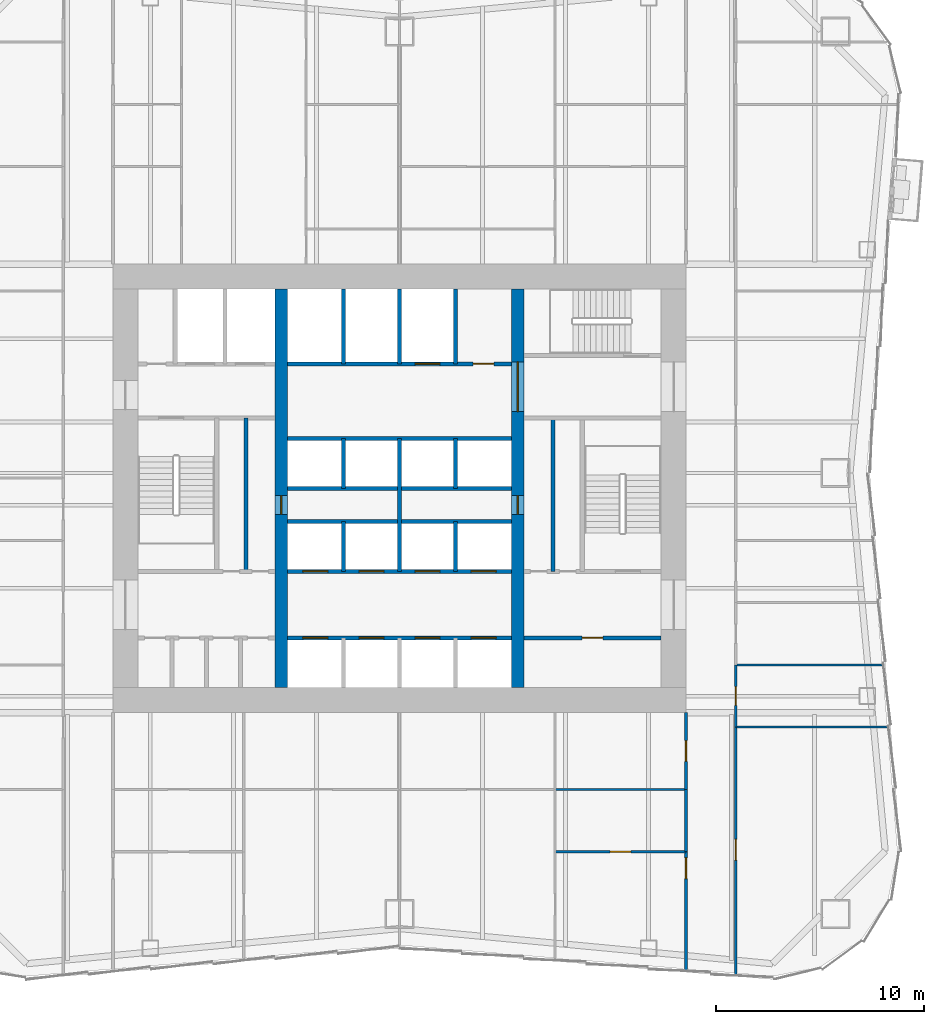
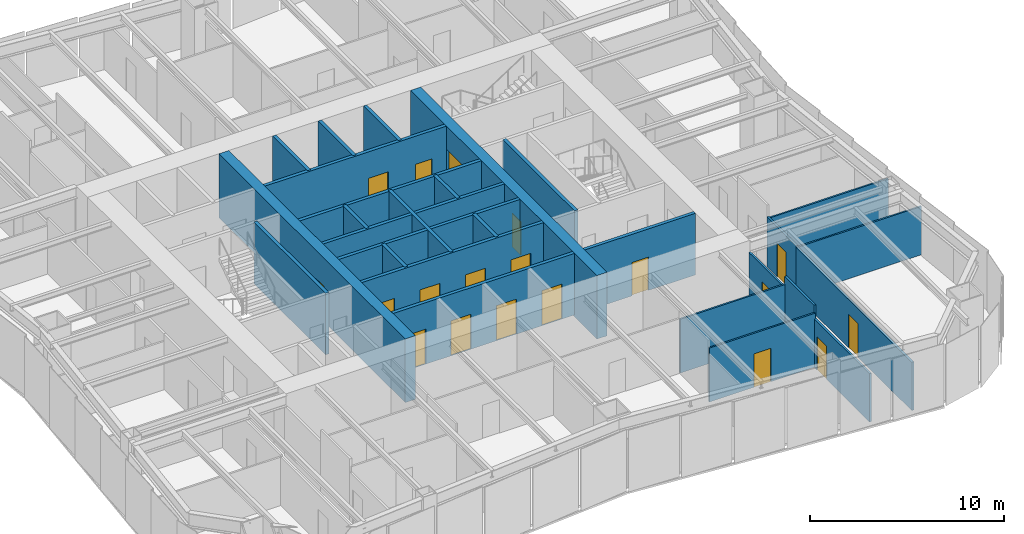
# One storey, part 5 of 9: 28 walls, 19 doors, 19 openings.
"""IFC4 building model written with IfcOpenShell, lengths in metres."""

from ifc_helpers import new_model, si_unit, direction, frame, frame_2d, origin, place, context, subcontext, project, spatial, rectangle, extrude, material, layer, layer_set, type_object, element, fill, save


model = new_model("IFC4")

# Units and contexts
model_context = context("Model", 3, precision=1e-05, world=origin(), true_north=direction((0.0, 1.0)))
body_context = subcontext(model_context, "Body", "Model", "MODEL_VIEW")
ifc_project = project(units=[si_unit("LENGTHUNIT", "METRE"), si_unit("AREAUNIT", "SQUARE_METRE"), si_unit("VOLUMEUNIT", "CUBIC_METRE"), si_unit("PLANEANGLEUNIT", "RADIAN"), si_unit("MASSUNIT", "GRAM", prefix="KILO")], contexts=[model_context])

# Site, building, storey
site_placement = place(None, origin())
site = spatial("IfcSite", under=ifc_project, at=site_placement, CompositionType="ELEMENT")
building_placement = place(site_placement, origin())
building = spatial("IfcBuilding", under=site, at=building_placement, Name="Verdant Reach Tower", CompositionType="ELEMENT")
storey_placement = place(building_placement, frame((0.0, 0.0, 74.0)))
storey = spatial("IfcBuildingStorey", under=building, at=storey_placement, Name="L16", CompositionType="ELEMENT", Elevation=74.0)

# Wall, opening, door
ifc_material_1 = material(Name="Gypsum board on steel studs", Category="steel")
ifc_layer_1 = layer(ifc_material_1, 0.199951171875)
ifc_layer_set_1 = layer_set([ifc_layer_1], Name="CO-WALL-ROOM")
wall_type_1 = type_object("IfcWallType", Name="CO-WALL-ROOM", PredefinedType="PARTITIONING", material=ifc_layer_set_1)
wall_1_placement = place(storey_placement, frame((6.0, 20.800048828125, 0.0), z_axis=(0.0, 0.0, 1.0), x_axis=(1.0, 0.0, 0.0)))
wall_1 = element("IfcWall", 1, at=wall_1_placement, inside=storey, type_object=wall_type_1, Name="Core partition, L16", PredefinedType="PARTITIONING", context=body_context, shape_type="SweptSolid", body=[
    extrude(rectangle(XDim=6.60009765625, YDim=0.199951171875, at=frame_2d((3.300048828125, 0.0))), origin(), (0.0, 0.0, 1.0), 3.8701171875),
])
opening_1_placement = place(wall_1_placement, frame((2.800048828125, 0.0, 0.0)))
opening_1 = element("IfcOpeningElement", 2, at=opening_1_placement, cuts=wall_1, Name="Opening CD", PredefinedType="OPENING", context=body_context, shape_type="SweptSolid", body=[
    extrude(rectangle(XDim=1.0, YDim=2.10009765625, at=frame_2d((0.5, 1.050048828125))), frame((0.0, 0.10986328125, 0.0), z_axis=(0.0, -1.0, 0.0), x_axis=(1.0, 0.0, 0.0)), (0.0, 0.0, 1.0), 0.219970703125),
])
ifc_material_2 = material(Name="Timber", Category="wood")
door_type_1 = type_object("IfcDoorType", Name="CO-DOOR-ROOM", OperationType="NOTDEFINED", PredefinedType="DOOR", material=ifc_material_2)
door_1_placement = place(opening_1_placement, origin())
door_1 = element("IfcDoor", 3, at=door_1_placement, inside=storey, type_object=door_type_1, Name="Core room door, L16", OperationType="SINGLE_SWING_LEFT", OverallHeight=2.10009765625, OverallWidth=1.0, PredefinedType="DOOR", context=body_context, shape_type="SweptSolid", body=[
    extrude(rectangle(XDim=1.0, YDim=2.10009765625, at=frame_2d((0.5, 1.050048828125))), frame((0.0, 0.02490234375, 0.0), z_axis=(0.0, -1.0, 0.0), x_axis=(1.0, 0.0, 0.0)), (0.0, 0.0, 1.0), 0.050048828125),
])
fill(opening_1, door_1)

# Walls
for number, where, z_axis, x_axis, name in (
    (4, (-7.39990234375, 24.0, 0.0), (0.0, 0.0, 1.0), (0.0, 1.0, 0.0), "Core partition, L16"),
    (5, (7.39990234375, 24.0, 0.0), (0.0, 0.0, 1.0), (0.0, 1.0, 0.0), "Core partition, L16"),
):
    element("IfcWall", number, at=place(storey_placement, frame(where, z_axis=z_axis, x_axis=x_axis)), inside=storey, type_object=wall_type_1, Name=name, PredefinedType="PARTITIONING", context=body_context, shape_type="SweptSolid", body=[
        extrude(rectangle(XDim=7.39990234375, YDim=0.199951171875, at=frame_2d((3.699951171875, 0.0))), origin(), (0.0, 0.0, 1.0), 3.8701171875),
    ])

# Wall, openings, doors
ifc_material_3 = material(Name="Concrete C40/50", Category="concrete")
ifc_layer_2 = layer(ifc_material_3, 0.199951171875)
ifc_layer_set_2 = layer_set([ifc_layer_2], Name="CO-WALL-SHAFT")
wall_type_2 = type_object("IfcWallType", Name="CO-WALL-SHAFT", PredefinedType="PARTITIONING", material=ifc_layer_set_2)
wall_2_placement = place(storey_placement, frame((-5.39990234375, 20.800048828125, 0.0), z_axis=(0.0, 0.0, 1.0), x_axis=(1.0, 0.0, 0.0)))
wall_2 = element("IfcWall", 6, at=wall_2_placement, inside=storey, type_object=wall_type_2, Name="Lift shaft wall, L16", PredefinedType="PARTITIONING", context=body_context, shape_type="SweptSolid", body=[
    extrude(rectangle(XDim=10.7998046875, YDim=0.199951171875, at=frame_2d((5.39990234375, 0.0))), origin(), (0.0, 0.0, 1.0), 3.8701171875),
])
opening_2_placement = place(wall_2_placement, frame((0.75, 0.0, 0.0)))
opening_2 = element("IfcOpeningElement", 7, at=opening_2_placement, cuts=wall_2, Name="Opening LD-A1", PredefinedType="OPENING", context=body_context, shape_type="SweptSolid", body=[
    extrude(rectangle(XDim=1.199951171875, YDim=2.199951171875, at=frame_2d((0.60009765625, 1.10009765625))), frame((0.0, 0.10986328125, 0.0), z_axis=(0.0, -1.0, 0.0), x_axis=(1.0, 0.0, 0.0)), (0.0, 0.0, 1.0), 0.219970703125),
])
opening_3_placement = place(wall_2_placement, frame((3.449951171875, 0.0, 0.0)))
opening_3 = element("IfcOpeningElement", 8, at=opening_3_placement, cuts=wall_2, Name="Opening LD-A2", PredefinedType="OPENING", context=body_context, shape_type="SweptSolid", body=[
    extrude(rectangle(XDim=1.199951171875, YDim=2.199951171875, at=frame_2d((0.60009765625, 1.10009765625))), frame((0.0, 0.10986328125, 0.0), z_axis=(0.0, -1.0, 0.0), x_axis=(1.0, 0.0, 0.0)), (0.0, 0.0, 1.0), 0.219970703125),
])
opening_4_placement = place(wall_2_placement, frame((6.14990234375, 0.0, 0.0)))
opening_4 = element("IfcOpeningElement", 9, at=opening_4_placement, cuts=wall_2, Name="Opening LD-A3", PredefinedType="OPENING", context=body_context, shape_type="SweptSolid", body=[
    extrude(rectangle(XDim=1.199951171875, YDim=2.199951171875, at=frame_2d((0.60009765625, 1.10009765625))), frame((0.0, 0.10986328125, 0.0), z_axis=(0.0, -1.0, 0.0), x_axis=(1.0, 0.0, 0.0)), (0.0, 0.0, 1.0), 0.219970703125),
])
opening_5_placement = place(wall_2_placement, frame((8.85009765625, 0.0, 0.0)))
opening_5 = element("IfcOpeningElement", 10, at=opening_5_placement, cuts=wall_2, Name="Opening LD-A4", PredefinedType="OPENING", context=body_context, shape_type="SweptSolid", body=[
    extrude(rectangle(XDim=1.199951171875, YDim=2.199951171875, at=frame_2d((0.60009765625, 1.10009765625))), frame((0.0, 0.10986328125, 0.0), z_axis=(0.0, -1.0, 0.0), x_axis=(1.0, 0.0, 0.0)), (0.0, 0.0, 1.0), 0.219970703125),
])
ifc_material_4 = material(Name="Stainless steel", Category="steel")
door_type_2 = type_object("IfcDoorType", Name="CO-DOOR-LANDING", OperationType="SLIDING_TO_LEFT", PredefinedType="DOOR", material=ifc_material_4)
door_2_placement = place(opening_2_placement, origin())
door_2 = element("IfcDoor", 11, at=door_2_placement, inside=storey, type_object=door_type_2, Name="Landing door A1, L16", OperationType="SLIDING_TO_LEFT", OverallHeight=2.199951171875, OverallWidth=1.199951171875, PredefinedType="DOOR", context=body_context, shape_type="SweptSolid", body=[
    extrude(rectangle(XDim=1.199951171875, YDim=2.199951171875, at=frame_2d((0.60009765625, 1.10009765625))), frame((0.0, 0.02490234375, 0.0), z_axis=(0.0, -1.0, 0.0), x_axis=(1.0, 0.0, 0.0)), (0.0, 0.0, 1.0), 0.050048828125),
])
fill(opening_2, door_2)
door_3_placement = place(opening_3_placement, origin())
door_3 = element("IfcDoor", 12, at=door_3_placement, inside=storey, type_object=door_type_2, Name="Landing door A2, L16", OperationType="SLIDING_TO_LEFT", OverallHeight=2.199951171875, OverallWidth=1.199951171875, PredefinedType="DOOR", context=body_context, shape_type="SweptSolid", body=[
    extrude(rectangle(XDim=1.199951171875, YDim=2.199951171875, at=frame_2d((0.60009765625, 1.10009765625))), frame((0.0, 0.02490234375, 0.0), z_axis=(0.0, -1.0, 0.0), x_axis=(1.0, 0.0, 0.0)), (0.0, 0.0, 1.0), 0.050048828125),
])
fill(opening_3, door_3)
door_4_placement = place(opening_4_placement, origin())
door_4 = element("IfcDoor", 13, at=door_4_placement, inside=storey, type_object=door_type_2, Name="Landing door A3, L16", OperationType="SLIDING_TO_LEFT", OverallHeight=2.199951171875, OverallWidth=1.199951171875, PredefinedType="DOOR", context=body_context, shape_type="SweptSolid", body=[
    extrude(rectangle(XDim=1.199951171875, YDim=2.199951171875, at=frame_2d((0.60009765625, 1.10009765625))), frame((0.0, 0.02490234375, 0.0), z_axis=(0.0, -1.0, 0.0), x_axis=(1.0, 0.0, 0.0)), (0.0, 0.0, 1.0), 0.050048828125),
])
fill(opening_4, door_4)
door_5_placement = place(opening_5_placement, origin())
door_5 = element("IfcDoor", 14, at=door_5_placement, inside=storey, type_object=door_type_2, Name="Landing door A4, L16", OperationType="SLIDING_TO_LEFT", OverallHeight=2.199951171875, OverallWidth=1.199951171875, PredefinedType="DOOR", context=body_context, shape_type="SweptSolid", body=[
    extrude(rectangle(XDim=1.199951171875, YDim=2.199951171875, at=frame_2d((0.60009765625, 1.10009765625))), frame((0.0, 0.02490234375, 0.0), z_axis=(0.0, -1.0, 0.0), x_axis=(1.0, 0.0, 0.0)), (0.0, 0.0, 1.0), 0.050048828125),
])
fill(opening_5, door_5)

wall_3_placement = place(storey_placement, frame((-5.39990234375, 24.0, 0.0), z_axis=(0.0, 0.0, 1.0), x_axis=(1.0, 0.0, 0.0)))
wall_3 = element("IfcWall", 15, at=wall_3_placement, inside=storey, type_object=wall_type_2, Name="Lift shaft wall, L16", PredefinedType="PARTITIONING", context=body_context, shape_type="SweptSolid", body=[
    extrude(rectangle(XDim=10.7998046875, YDim=0.199951171875, at=frame_2d((5.39990234375, 0.0))), origin(), (0.0, 0.0, 1.0), 3.8701171875),
])
opening_6_placement = place(wall_3_placement, frame((0.75, 0.0, 0.0)))
opening_6 = element("IfcOpeningElement", 16, at=opening_6_placement, cuts=wall_3, Name="Opening LD-A5", PredefinedType="OPENING", context=body_context, shape_type="SweptSolid", body=[
    extrude(rectangle(XDim=1.199951171875, YDim=2.199951171875, at=frame_2d((0.60009765625, 1.10009765625))), frame((0.0, 0.10986328125, 0.0), z_axis=(0.0, -1.0, 0.0), x_axis=(1.0, 0.0, 0.0)), (0.0, 0.0, 1.0), 0.219970703125),
])
opening_7_placement = place(wall_3_placement, frame((3.449951171875, 0.0, 0.0)))
opening_7 = element("IfcOpeningElement", 17, at=opening_7_placement, cuts=wall_3, Name="Opening LD-A6", PredefinedType="OPENING", context=body_context, shape_type="SweptSolid", body=[
    extrude(rectangle(XDim=1.199951171875, YDim=2.199951171875, at=frame_2d((0.60009765625, 1.10009765625))), frame((0.0, 0.10986328125, 0.0), z_axis=(0.0, -1.0, 0.0), x_axis=(1.0, 0.0, 0.0)), (0.0, 0.0, 1.0), 0.219970703125),
])
opening_8_placement = place(wall_3_placement, frame((6.14990234375, 0.0, 0.0)))
opening_8 = element("IfcOpeningElement", 18, at=opening_8_placement, cuts=wall_3, Name="Opening LD-A7", PredefinedType="OPENING", context=body_context, shape_type="SweptSolid", body=[
    extrude(rectangle(XDim=1.199951171875, YDim=2.199951171875, at=frame_2d((0.60009765625, 1.10009765625))), frame((0.0, 0.10986328125, 0.0), z_axis=(0.0, -1.0, 0.0), x_axis=(1.0, 0.0, 0.0)), (0.0, 0.0, 1.0), 0.219970703125),
])
opening_9_placement = place(wall_3_placement, frame((8.85009765625, 0.0, 0.0)))
opening_9 = element("IfcOpeningElement", 19, at=opening_9_placement, cuts=wall_3, Name="Opening LD-A8", PredefinedType="OPENING", context=body_context, shape_type="SweptSolid", body=[
    extrude(rectangle(XDim=1.199951171875, YDim=2.199951171875, at=frame_2d((0.60009765625, 1.10009765625))), frame((0.0, 0.10986328125, 0.0), z_axis=(0.0, -1.0, 0.0), x_axis=(1.0, 0.0, 0.0)), (0.0, 0.0, 1.0), 0.219970703125),
])
door_6_placement = place(opening_6_placement, origin())
door_6 = element("IfcDoor", 20, at=door_6_placement, inside=storey, type_object=door_type_2, Name="Landing door A5, L16", OperationType="SLIDING_TO_LEFT", OverallHeight=2.199951171875, OverallWidth=1.199951171875, PredefinedType="DOOR", context=body_context, shape_type="SweptSolid", body=[
    extrude(rectangle(XDim=1.199951171875, YDim=2.199951171875, at=frame_2d((0.60009765625, 1.10009765625))), frame((0.0, 0.02490234375, 0.0), z_axis=(0.0, -1.0, 0.0), x_axis=(1.0, 0.0, 0.0)), (0.0, 0.0, 1.0), 0.050048828125),
])
fill(opening_6, door_6)
door_7_placement = place(opening_7_placement, origin())
door_7 = element("IfcDoor", 21, at=door_7_placement, inside=storey, type_object=door_type_2, Name="Landing door A6, L16", OperationType="SLIDING_TO_LEFT", OverallHeight=2.199951171875, OverallWidth=1.199951171875, PredefinedType="DOOR", context=body_context, shape_type="SweptSolid", body=[
    extrude(rectangle(XDim=1.199951171875, YDim=2.199951171875, at=frame_2d((0.60009765625, 1.10009765625))), frame((0.0, 0.02490234375, 0.0), z_axis=(0.0, -1.0, 0.0), x_axis=(1.0, 0.0, 0.0)), (0.0, 0.0, 1.0), 0.050048828125),
])
fill(opening_7, door_7)
door_8_placement = place(opening_8_placement, origin())
door_8 = element("IfcDoor", 22, at=door_8_placement, inside=storey, type_object=door_type_2, Name="Landing door A7, L16", OperationType="SLIDING_TO_LEFT", OverallHeight=2.199951171875, OverallWidth=1.199951171875, PredefinedType="DOOR", context=body_context, shape_type="SweptSolid", body=[
    extrude(rectangle(XDim=1.199951171875, YDim=2.199951171875, at=frame_2d((0.60009765625, 1.10009765625))), frame((0.0, 0.02490234375, 0.0), z_axis=(0.0, -1.0, 0.0), x_axis=(1.0, 0.0, 0.0)), (0.0, 0.0, 1.0), 0.050048828125),
])
fill(opening_8, door_8)
door_9_placement = place(opening_9_placement, origin())
door_9 = element("IfcDoor", 23, at=door_9_placement, inside=storey, type_object=door_type_2, Name="Landing door A8, L16", OperationType="SLIDING_TO_LEFT", OverallHeight=2.199951171875, OverallWidth=1.199951171875, PredefinedType="DOOR", context=body_context, shape_type="SweptSolid", body=[
    extrude(rectangle(XDim=1.199951171875, YDim=2.199951171875, at=frame_2d((0.60009765625, 1.10009765625))), frame((0.0, 0.02490234375, 0.0), z_axis=(0.0, -1.0, 0.0), x_axis=(1.0, 0.0, 0.0)), (0.0, 0.0, 1.0), 0.050048828125),
])
fill(opening_9, door_9)

# Walls
for number, where, z_axis, x_axis, name in (
    (24, (-5.39990234375, 26.39990234375, 0.0), (0.0, 0.0, 1.0), (1.0, 0.0, 0.0), "Lift shaft wall, L16"),
    (25, (-5.39990234375, 28.0, 0.0), (0.0, 0.0, 1.0), (1.0, 0.0, 0.0), "Lift shaft wall, L16"),
    (26, (-5.39990234375, 30.39990234375, 0.0), (0.0, 0.0, 1.0), (1.0, 0.0, 0.0), "Lift shaft wall, L16"),
):
    element("IfcWall", number, at=place(storey_placement, frame(where, z_axis=z_axis, x_axis=x_axis)), inside=storey, type_object=wall_type_2, Name=name, PredefinedType="PARTITIONING", context=body_context, shape_type="SweptSolid", body=[
        extrude(rectangle(XDim=10.7998046875, YDim=0.199951171875, at=frame_2d((5.39990234375, 0.0))), origin(), (0.0, 0.0, 1.0), 3.8701171875),
    ])

# Wall, openings, doors
wall_4_placement = place(storey_placement, frame((-5.39990234375, 34.0, 0.0), z_axis=(0.0, 0.0, 1.0), x_axis=(1.0, 0.0, 0.0)))
wall_4 = element("IfcWall", 27, at=wall_4_placement, inside=storey, type_object=wall_type_2, Name="Lift shaft wall, L16", PredefinedType="PARTITIONING", context=body_context, shape_type="SweptSolid", body=[
    extrude(rectangle(XDim=10.7998046875, YDim=0.199951171875, at=frame_2d((5.39990234375, 0.0))), origin(), (0.0, 0.0, 1.0), 3.8701171875),
])
opening_10_placement = place(wall_4_placement, frame((6.14990234375, 0.0, 0.0)))
opening_10 = element("IfcOpeningElement", 28, at=opening_10_placement, cuts=wall_4, Name="Opening LD-SL1", PredefinedType="OPENING", context=body_context, shape_type="SweptSolid", body=[
    extrude(rectangle(XDim=1.199951171875, YDim=2.199951171875, at=frame_2d((0.60009765625, 1.10009765625))), frame((0.0, 0.10986328125, 0.0), z_axis=(0.0, -1.0, 0.0), x_axis=(1.0, 0.0, 0.0)), (0.0, 0.0, 1.0), 0.219970703125),
])
opening_11_placement = place(wall_4_placement, frame((8.949951171875, 0.0, 0.0)))
opening_11 = element("IfcOpeningElement", 29, at=opening_11_placement, cuts=wall_4, Name="Opening CD", PredefinedType="OPENING", context=body_context, shape_type="SweptSolid", body=[
    extrude(rectangle(XDim=1.0, YDim=2.10009765625, at=frame_2d((0.5, 1.050048828125))), frame((0.0, 0.10986328125, 0.0), z_axis=(0.0, -1.0, 0.0), x_axis=(1.0, 0.0, 0.0)), (0.0, 0.0, 1.0), 0.219970703125),
])
door_10_placement = place(opening_10_placement, origin())
door_10 = element("IfcDoor", 30, at=door_10_placement, inside=storey, type_object=door_type_2, Name="Landing door SL1, L16", OperationType="SLIDING_TO_LEFT", OverallHeight=2.199951171875, OverallWidth=1.199951171875, PredefinedType="DOOR", context=body_context, shape_type="SweptSolid", body=[
    extrude(rectangle(XDim=1.199951171875, YDim=2.199951171875, at=frame_2d((0.60009765625, 1.10009765625))), frame((0.0, 0.02490234375, 0.0), z_axis=(0.0, -1.0, 0.0), x_axis=(1.0, 0.0, 0.0)), (0.0, 0.0, 1.0), 0.050048828125),
])
fill(opening_10, door_10)
door_11_placement = place(opening_11_placement, origin())
door_11 = element("IfcDoor", 31, at=door_11_placement, inside=storey, type_object=door_type_1, Name="Core room door, L16", OperationType="SINGLE_SWING_LEFT", OverallHeight=2.10009765625, OverallWidth=1.0, PredefinedType="DOOR", context=body_context, shape_type="SweptSolid", body=[
    extrude(rectangle(XDim=1.0, YDim=2.10009765625, at=frame_2d((0.5, 1.050048828125))), frame((0.0, 0.02490234375, 0.0), z_axis=(0.0, -1.0, 0.0), x_axis=(1.0, 0.0, 0.0)), (0.0, 0.0, 1.0), 0.050048828125),
])
fill(opening_11, door_11)

# Walls
for number, where, z_axis, x_axis, name in (
    (32, (-2.699951171875, 24.0, 0.0), (0.0, 0.0, 1.0), (0.0, 1.0, 0.0), "Lift shaft wall, L16"),
    (33, (-2.699951171875, 28.0, 0.0), (0.0, 0.0, 1.0), (0.0, 1.0, 0.0), "Lift shaft wall, L16"),
):
    element("IfcWall", number, at=place(storey_placement, frame(where, z_axis=z_axis, x_axis=x_axis)), inside=storey, type_object=wall_type_2, Name=name, PredefinedType="PARTITIONING", context=body_context, shape_type="SweptSolid", body=[
        extrude(rectangle(XDim=2.39990234375, YDim=0.199951171875, at=frame_2d((1.199951171875, 0.0))), origin(), (0.0, 0.0, 1.0), 3.8701171875),
    ])
wall_5_placement = place(storey_placement, frame((-2.699951171875, 34.0, 0.0), z_axis=(0.0, 0.0, 1.0), x_axis=(0.0, 1.0, 0.0)))
element("IfcWall", 34, at=wall_5_placement, inside=storey, type_object=wall_type_2, Name="Lift shaft wall, L16", PredefinedType="PARTITIONING", context=body_context, shape_type="SweptSolid", body=[
    extrude(rectangle(XDim=3.60009765625, YDim=0.199951171875, at=frame_2d((1.800048828125, 0.0))), origin(), (0.0, 0.0, 1.0), 3.8701171875),
])
wall_6_placement = place(storey_placement, frame((0.0, 24.0, 0.0), z_axis=(0.0, 0.0, 1.0), x_axis=(0.0, 1.0, 0.0)))
element("IfcWall", 35, at=wall_6_placement, inside=storey, type_object=wall_type_2, Name="Lift shaft wall, L16", PredefinedType="PARTITIONING", context=body_context, shape_type="SweptSolid", body=[
    extrude(rectangle(XDim=6.39990234375, YDim=0.199951171875, at=frame_2d((3.199951171875, 0.0))), origin(), (0.0, 0.0, 1.0), 3.8701171875),
])
wall_7_placement = place(storey_placement, frame((0.0, 34.0, 0.0), z_axis=(0.0, 0.0, 1.0), x_axis=(0.0, 1.0, 0.0)))
element("IfcWall", 36, at=wall_7_placement, inside=storey, type_object=wall_type_2, Name="Lift shaft wall, L16", PredefinedType="PARTITIONING", context=body_context, shape_type="SweptSolid", body=[
    extrude(rectangle(XDim=3.60009765625, YDim=0.199951171875, at=frame_2d((1.800048828125, 0.0))), origin(), (0.0, 0.0, 1.0), 3.8701171875),
])
for number, where, z_axis, x_axis, name in (
    (37, (2.699951171875, 24.0, 0.0), (0.0, 0.0, 1.0), (0.0, 1.0, 0.0), "Lift shaft wall, L16"),
    (38, (2.699951171875, 28.0, 0.0), (0.0, 0.0, 1.0), (0.0, 1.0, 0.0), "Lift shaft wall, L16"),
):
    element("IfcWall", number, at=place(storey_placement, frame(where, z_axis=z_axis, x_axis=x_axis)), inside=storey, type_object=wall_type_2, Name=name, PredefinedType="PARTITIONING", context=body_context, shape_type="SweptSolid", body=[
        extrude(rectangle(XDim=2.39990234375, YDim=0.199951171875, at=frame_2d((1.199951171875, 0.0))), origin(), (0.0, 0.0, 1.0), 3.8701171875),
    ])
wall_8_placement = place(storey_placement, frame((2.699951171875, 34.0, 0.0), z_axis=(0.0, 0.0, 1.0), x_axis=(0.0, 1.0, 0.0)))
element("IfcWall", 39, at=wall_8_placement, inside=storey, type_object=wall_type_2, Name="Lift shaft wall, L16", PredefinedType="PARTITIONING", context=body_context, shape_type="SweptSolid", body=[
    extrude(rectangle(XDim=3.60009765625, YDim=0.199951171875, at=frame_2d((1.800048828125, 0.0))), origin(), (0.0, 0.0, 1.0), 3.8701171875),
])
ifc_layer_3 = layer(ifc_material_1, 0.10009765625)
ifc_layer_set_3 = layer_set([ifc_layer_3], Name="FL-W1 Partition 100")
wall_type_3 = type_object("IfcWallType", Name="FL-W1 Partition 100", PredefinedType="PARTITIONING", material=ifc_layer_set_3)
wall_9_placement = place(storey_placement, frame((23.5869140625, 16.5, 0.0), z_axis=(0.0, 0.0, 1.0), x_axis=(-1.0, 0.0, 0.0)))
element("IfcWall", 40, at=wall_9_placement, inside=storey, type_object=wall_type_3, Name="Partition 16.36", PredefinedType="PARTITIONING", context=body_context, shape_type="SweptSolid", body=[
    extrude(rectangle(XDim=7.386962890625, YDim=0.10009765625, at=frame_2d((3.693359375, 0.0))), origin(), (0.0, 0.0, 1.0), 3.0400390625),
])
wall_10_placement = place(storey_placement, frame((23.34033203125, 19.5, 0.0), z_axis=(0.0, 0.0, 1.0), x_axis=(-1.0, 0.0, 0.0)))
element("IfcWall", 41, at=wall_10_placement, inside=storey, type_object=wall_type_3, Name="Partition 16.37", PredefinedType="PARTITIONING", context=body_context, shape_type="SweptSolid", body=[
    extrude(rectangle(XDim=7.140380859375, YDim=0.10009765625, at=frame_2d((3.5703125, 0.0))), origin(), (0.0, 0.0, 1.0), 3.0400390625),
])

# Wall, opening, door
wall_11_placement = place(storey_placement, frame((7.5, 10.5, 0.0), z_axis=(0.0, 0.0, 1.0), x_axis=(1.0, 0.0, 0.0)))
wall_11 = element("IfcWall", 42, at=wall_11_placement, inside=storey, type_object=wall_type_3, Name="Partition 16.51", PredefinedType="PARTITIONING", context=body_context, shape_type="SweptSolid", body=[
    extrude(rectangle(XDim=6.300048828125, YDim=0.10009765625, at=frame_2d((3.14990234375, 0.0))), origin(), (0.0, 0.0, 1.0), 3.389892578125),
])
opening_12_placement = place(wall_11_placement, frame((2.64990234375, 0.0, 0.0)))
opening_12 = element("IfcOpeningElement", 43, at=opening_12_placement, cuts=wall_11, Name="Opening D3", PredefinedType="OPENING", context=body_context, shape_type="SweptSolid", body=[
    extrude(rectangle(XDim=1.0, YDim=2.10009765625, at=frame_2d((0.5, 1.050048828125))), frame((0.0, 0.06005859375, 0.0), z_axis=(0.0, -1.0, 0.0), x_axis=(1.0, 0.0, 0.0)), (0.0, 0.0, 1.0), 0.1201171875),
])
ifc_material_5 = material(Name="Painted timber door leaf", Category="wood")
door_type_3 = type_object("IfcDoorType", Name="FL-D3 Door 1000x2100", OperationType="NOTDEFINED", PredefinedType="DOOR", material=ifc_material_5)
door_12_placement = place(opening_12_placement, origin())
door_12 = element("IfcDoor", 44, at=door_12_placement, inside=storey, type_object=door_type_3, Name="Door 16-027", OperationType="SINGLE_SWING_LEFT", OverallHeight=2.10009765625, OverallWidth=1.0, PredefinedType="DOOR", context=body_context, shape_type="SweptSolid", body=[
    extrude(rectangle(XDim=1.0, YDim=2.10009765625, at=frame_2d((0.5, 1.050048828125))), frame((0.0, 0.02490234375, 0.0), z_axis=(0.0, -1.0, 0.0), x_axis=(1.0, 0.0, 0.0)), (0.0, 0.0, 1.0), 0.050048828125),
])
fill(opening_12, door_12)

# Wall
wall_12_placement = place(storey_placement, frame((13.800048828125, 13.5, 0.0), z_axis=(0.0, 0.0, 1.0), x_axis=(-1.0, 0.0, 0.0)))
element("IfcWall", 45, at=wall_12_placement, inside=storey, type_object=wall_type_3, Name="Partition 16.53", PredefinedType="PARTITIONING", context=body_context, shape_type="SweptSolid", body=[
    extrude(rectangle(XDim=6.300048828125, YDim=0.10009765625, at=frame_2d((3.14990234375, 0.0))), origin(), (0.0, 0.0, 1.0), 3.389892578125),
])

# Wall, opening, door
ifc_material_6 = material(Name="Gypsum board on steel studs, fire rated", Category="steel")
ifc_layer_4 = layer(ifc_material_6, 0.125)
ifc_layer_set_4 = layer_set([ifc_layer_4], Name="FL-W2 Corridor wall 125")
wall_type_4 = type_object("IfcWallType", Name="FL-W2 Corridor wall 125", PredefinedType="PARTITIONING", material=ifc_layer_set_4)
wall_13_placement = place(storey_placement, frame((16.199951171875, 16.5, 0.0), z_axis=(0.0, 0.0, 1.0), x_axis=(0.0, -1.0, 0.0)))
wall_13 = element("IfcWall", 46, at=wall_13_placement, inside=storey, type_object=wall_type_4, Name="Partition 16.15", PredefinedType="PARTITIONING", context=body_context, shape_type="SweptSolid", body=[
    extrude(rectangle(XDim=11.929931640625, YDim=0.125, at=frame_2d((5.96484375, 0.0))), origin(), (0.0, 0.0, 1.0), 3.0400390625),
])
opening_13_placement = place(wall_13_placement, frame((5.39990234375, 0.0, 0.0)))
opening_13 = element("IfcOpeningElement", 47, at=opening_13_placement, cuts=wall_13, Name="Opening D2", PredefinedType="OPENING", context=body_context, shape_type="SweptSolid", body=[
    extrude(rectangle(XDim=1.0, YDim=2.10009765625, at=frame_2d((0.5, 1.050048828125))), frame((0.0, 0.072509765625, 0.0), z_axis=(0.0, -1.0, 0.0), x_axis=(1.0, 0.0, 0.0)), (0.0, 0.0, 1.0), 0.14501953125),
])
ifc_material_7 = material(Name="Timber door leaf, fire rated", Category="wood")
door_type_4 = type_object("IfcDoorType", Name="FL-D2 Entrance door 1000x2100 FD30", OperationType="NOTDEFINED", PredefinedType="DOOR", material=ifc_material_7)
door_13_placement = place(opening_13_placement, origin())
door_13 = element("IfcDoor", 48, at=door_13_placement, inside=storey, type_object=door_type_4, Name="Door 16-011", OperationType="SINGLE_SWING_LEFT", OverallHeight=2.10009765625, OverallWidth=1.0, PredefinedType="DOOR", context=body_context, shape_type="SweptSolid", body=[
    extrude(rectangle(XDim=1.0, YDim=2.10009765625, at=frame_2d((0.5, 1.050048828125))), frame((0.0, 0.02490234375, 0.0), z_axis=(0.0, -1.0, 0.0), x_axis=(1.0, 0.0, 0.0)), (0.0, 0.0, 1.0), 0.050048828125),
])
fill(opening_13, door_13)

wall_14_placement = place(storey_placement, frame((16.199951171875, 19.5, 0.0), z_axis=(0.0, 0.0, 1.0), x_axis=(0.0, -1.0, 0.0)))
wall_14 = element("IfcWall", 49, at=wall_14_placement, inside=storey, type_object=wall_type_4, Name="Partition 16.16", PredefinedType="PARTITIONING", context=body_context, shape_type="SweptSolid", body=[
    extrude(rectangle(XDim=3.0, YDim=0.125, at=frame_2d((1.5, 0.0))), origin(), (0.0, 0.0, 1.0), 3.139892578125),
])
opening_14_placement = place(wall_14_placement, frame((1.050048828125, 0.0, 0.0)))
opening_14 = element("IfcOpeningElement", 50, at=opening_14_placement, cuts=wall_14, Name="Opening D1", PredefinedType="OPENING", context=body_context, shape_type="SweptSolid", body=[
    extrude(rectangle(XDim=0.89990234375, YDim=2.10009765625, at=frame_2d((0.449951171875, 1.050048828125))), frame((0.0, 0.072509765625, 0.0), z_axis=(0.0, -1.0, 0.0), x_axis=(1.0, 0.0, 0.0)), (0.0, 0.0, 1.0), 0.14501953125),
])
door_type_5 = type_object("IfcDoorType", Name="FL-D1 Door 900x2100", OperationType="NOTDEFINED", PredefinedType="DOOR", material=ifc_material_5)
door_14_placement = place(opening_14_placement, origin())
door_14 = element("IfcDoor", 51, at=door_14_placement, inside=storey, type_object=door_type_5, Name="Door 16-012", OperationType="SINGLE_SWING_RIGHT", OverallHeight=2.10009765625, OverallWidth=0.89990234375, PredefinedType="DOOR", context=body_context, shape_type="SweptSolid", body=[
    extrude(rectangle(XDim=0.89990234375, YDim=2.10009765625, at=frame_2d((0.449951171875, 1.050048828125))), frame((0.0, 0.02490234375, 0.0), z_axis=(0.0, -1.0, 0.0), x_axis=(1.0, 0.0, 0.0)), (0.0, 0.0, 1.0), 0.050048828125),
])
fill(opening_14, door_14)

wall_15_placement = place(storey_placement, frame((13.800048828125, 4.77001953125, 0.0), z_axis=(0.0, 0.0, 1.0), x_axis=(0.0, 1.0, 0.0)))
wall_15 = element("IfcWall", 52, at=wall_15_placement, inside=storey, type_object=wall_type_4, Name="Partition 16.23", PredefinedType="PARTITIONING", context=body_context, shape_type="SweptSolid", body=[
    extrude(rectangle(XDim=5.72998046875, YDim=0.125, at=frame_2d((2.864990234375, 0.0))), origin(), (0.0, 0.0, 1.0), 3.0400390625),
])
opening_15_placement = place(wall_15_placement, frame((4.43017578125, 0.0, 0.0)))
opening_15 = element("IfcOpeningElement", 53, at=opening_15_placement, cuts=wall_15, Name="Opening D2", PredefinedType="OPENING", context=body_context, shape_type="SweptSolid", body=[
    extrude(rectangle(XDim=1.0, YDim=2.10009765625, at=frame_2d((0.5, 1.050048828125))), frame((0.0, 0.072509765625, 0.0), z_axis=(0.0, -1.0, 0.0), x_axis=(1.0, 0.0, 0.0)), (0.0, 0.0, 1.0), 0.14501953125),
])
door_15_placement = place(opening_15_placement, origin())
door_15 = element("IfcDoor", 54, at=door_15_placement, inside=storey, type_object=door_type_4, Name="Door 16-019", OperationType="SINGLE_SWING_RIGHT", OverallHeight=2.10009765625, OverallWidth=1.0, PredefinedType="DOOR", context=body_context, shape_type="SweptSolid", body=[
    extrude(rectangle(XDim=1.0, YDim=2.10009765625, at=frame_2d((0.5, 1.050048828125))), frame((0.0, 0.02490234375, 0.0), z_axis=(0.0, -1.0, 0.0), x_axis=(1.0, 0.0, 0.0)), (0.0, 0.0, 1.0), 0.050048828125),
])
fill(opening_15, door_15)

# Wall
wall_16_placement = place(storey_placement, frame((13.800048828125, 13.5, 0.0), z_axis=(0.0, 0.0, 1.0), x_axis=(0.0, -1.0, 0.0)))
element("IfcWall", 55, at=wall_16_placement, inside=storey, type_object=wall_type_4, Name="Partition 16.24", PredefinedType="PARTITIONING", context=body_context, shape_type="SweptSolid", body=[
    extrude(rectangle(XDim=3.0, YDim=0.125, at=frame_2d((1.5, 0.0))), origin(), (0.0, 0.0, 1.0), 3.8701171875),
])

# Wall, opening, door
wall_17_placement = place(storey_placement, frame((13.800048828125, 13.5, 0.0), z_axis=(0.0, 0.0, 1.0), x_axis=(0.0, 1.0, 0.0)))
wall_17 = element("IfcWall", 56, at=wall_17_placement, inside=storey, type_object=wall_type_4, Name="Partition 16.25", PredefinedType="PARTITIONING", context=body_context, shape_type="SweptSolid", body=[
    extrude(rectangle(XDim=3.699951171875, YDim=0.125, at=frame_2d((1.85009765625, 0.0))), origin(), (0.0, 0.0, 1.0), 3.139892578125),
])
opening_16_placement = place(wall_17_placement, frame((1.35009765625, 0.0, 0.0)))
opening_16 = element("IfcOpeningElement", 57, at=opening_16_placement, cuts=wall_17, Name="Opening D2", PredefinedType="OPENING", context=body_context, shape_type="SweptSolid", body=[
    extrude(rectangle(XDim=1.0, YDim=2.10009765625, at=frame_2d((0.5, 1.050048828125))), frame((0.0, 0.072509765625, 0.0), z_axis=(0.0, -1.0, 0.0), x_axis=(1.0, 0.0, 0.0)), (0.0, 0.0, 1.0), 0.14501953125),
])
door_16_placement = place(opening_16_placement, origin())
door_16 = element("IfcDoor", 58, at=door_16_placement, inside=storey, type_object=door_type_4, Name="Door 16-020", OperationType="SINGLE_SWING_RIGHT", OverallHeight=2.10009765625, OverallWidth=1.0, PredefinedType="DOOR", context=body_context, shape_type="SweptSolid", body=[
    extrude(rectangle(XDim=1.0, YDim=2.10009765625, at=frame_2d((0.5, 1.050048828125))), frame((0.0, 0.02490234375, 0.0), z_axis=(0.0, -1.0, 0.0), x_axis=(1.0, 0.0, 0.0)), (0.0, 0.0, 1.0), 0.050048828125),
])
fill(opening_16, door_16)

ifc_material_8 = material(Name="Concrete C70/85", Category="concrete")
ifc_layer_5 = layer(ifc_material_8, 0.60009765625)
ifc_layer_set_5 = layer_set([ifc_layer_5], Name="ST-CORE-WALL-600")
wall_type_5 = type_object("IfcWallType", Name="ST-CORE-WALL-600", PredefinedType="SHEAR", material=ifc_layer_set_5)
wall_18_placement = place(storey_placement, frame((-5.699951171875, 18.39990234375, -0.1298828125), z_axis=(0.0, 0.0, 1.0), x_axis=(0.0, 1.0, 0.0)))
wall_18 = element("IfcWall", 59, at=wall_18_placement, inside=storey, type_object=wall_type_5, Name="Core wall XW, L16", PredefinedType="SHEAR", context=body_context, shape_type="SweptSolid", body=[
    extrude(rectangle(XDim=19.2001953125, YDim=0.60009765625, at=frame_2d((9.60009765625, 0.0))), origin(), (0.0, 0.0, 1.0), 4.0),
])
opening_17_placement = place(wall_18_placement, frame((8.35009765625, 0.0, 0.1298828125)))
opening_17 = element("IfcOpeningElement", 60, at=opening_17_placement, cuts=wall_18, Name="Opening RD", PredefinedType="OPENING", context=body_context, shape_type="SweptSolid", body=[
    extrude(rectangle(XDim=0.89990234375, YDim=2.10009765625, at=frame_2d((0.449951171875, 1.050048828125))), frame((0.0, 0.31005859375, 0.0), z_axis=(0.0, -1.0, 0.0), x_axis=(1.0, 0.0, 0.0)), (0.0, 0.0, 1.0), 0.6201171875),
])
ifc_material_9 = material(Name="Steel", Category="steel")
door_type_6 = type_object("IfcDoorType", Name="CO-DOOR-RISER", OperationType="NOTDEFINED", PredefinedType="DOOR", material=ifc_material_9)
door_17_placement = place(opening_17_placement, origin())
door_17 = element("IfcDoor", 61, at=door_17_placement, inside=storey, type_object=door_type_6, Name="Riser door, L16", OperationType="SINGLE_SWING_LEFT", OverallHeight=2.10009765625, OverallWidth=0.89990234375, PredefinedType="DOOR", context=body_context, shape_type="SweptSolid", body=[
    extrude(rectangle(XDim=0.89990234375, YDim=2.10009765625, at=frame_2d((0.449951171875, 1.050048828125))), frame((0.0, 0.02490234375, 0.0), z_axis=(0.0, -1.0, 0.0), x_axis=(1.0, 0.0, 0.0)), (0.0, 0.0, 1.0), 0.050048828125),
])
fill(opening_17, door_17)

# Wall, openings, doors
wall_19_placement = place(storey_placement, frame((5.699951171875, 18.39990234375, -0.1298828125), z_axis=(0.0, 0.0, 1.0), x_axis=(0.0, 1.0, 0.0)))
wall_19 = element("IfcWall", 62, at=wall_19_placement, inside=storey, type_object=wall_type_5, Name="Core wall XE, L16", PredefinedType="SHEAR", context=body_context, shape_type="SweptSolid", body=[
    extrude(rectangle(XDim=19.2001953125, YDim=0.60009765625, at=frame_2d((9.60009765625, 0.0))), origin(), (0.0, 0.0, 1.0), 4.0),
])
opening_18_placement = place(wall_19_placement, frame((8.35009765625, 0.0, 0.1298828125)))
opening_18 = element("IfcOpeningElement", 63, at=opening_18_placement, cuts=wall_19, Name="Opening RD", PredefinedType="OPENING", context=body_context, shape_type="SweptSolid", body=[
    extrude(rectangle(XDim=0.89990234375, YDim=2.10009765625, at=frame_2d((0.449951171875, 1.050048828125))), frame((0.0, 0.31005859375, 0.0), z_axis=(0.0, -1.0, 0.0), x_axis=(1.0, 0.0, 0.0)), (0.0, 0.0, 1.0), 0.6201171875),
])
opening_19_placement = place(wall_19_placement, frame((13.300048828125, 0.0, 0.1298828125)))
opening_19 = element("IfcOpeningElement", 64, at=opening_19_placement, cuts=wall_19, Name="Opening LB", PredefinedType="OPENING", context=body_context, shape_type="SweptSolid", body=[
    extrude(rectangle(XDim=2.39990234375, YDim=2.39990234375, at=frame_2d((1.199951171875, 1.199951171875))), frame((0.0, 0.31005859375, 0.0), z_axis=(0.0, -1.0, 0.0), x_axis=(1.0, 0.0, 0.0)), (0.0, 0.0, 1.0), 0.6201171875),
])
ifc_material_10 = material(Name="Glass and steel", Category="steel")
door_type_7 = type_object("IfcDoorType", Name="CO-DOOR-LOBBY", OperationType="DOUBLE_DOOR_SINGLE_SWING", PredefinedType="DOOR", material=ifc_material_10)
door_18_placement = place(opening_19_placement, origin())
door_18 = element("IfcDoor", 65, at=door_18_placement, inside=storey, type_object=door_type_7, Name="Core entrance door, L16", OperationType="DOUBLE_DOOR_SINGLE_SWING", OverallHeight=2.39990234375, OverallWidth=2.39990234375, PredefinedType="DOOR", context=body_context, shape_type="SweptSolid", body=[
    extrude(rectangle(XDim=2.39990234375, YDim=2.39990234375, at=frame_2d((1.199951171875, 1.199951171875))), frame((0.0, 0.02490234375, 0.0), z_axis=(0.0, -1.0, 0.0), x_axis=(1.0, 0.0, 0.0)), (0.0, 0.0, 1.0), 0.050048828125),
])
fill(opening_19, door_18)
door_19_placement = place(opening_18_placement, origin())
door_19 = element("IfcDoor", 66, at=door_19_placement, inside=storey, type_object=door_type_6, Name="Riser door, L16", OperationType="SINGLE_SWING_RIGHT", OverallHeight=2.10009765625, OverallWidth=0.89990234375, PredefinedType="DOOR", context=body_context, shape_type="SweptSolid", body=[
    extrude(rectangle(XDim=0.89990234375, YDim=2.10009765625, at=frame_2d((0.449951171875, 1.050048828125))), frame((0.0, 0.02490234375, 0.0), z_axis=(0.0, -1.0, 0.0), x_axis=(1.0, 0.0, 0.0)), (0.0, 0.0, 1.0), 0.050048828125),
])
fill(opening_18, door_19)

save(model, "model.ifc")
